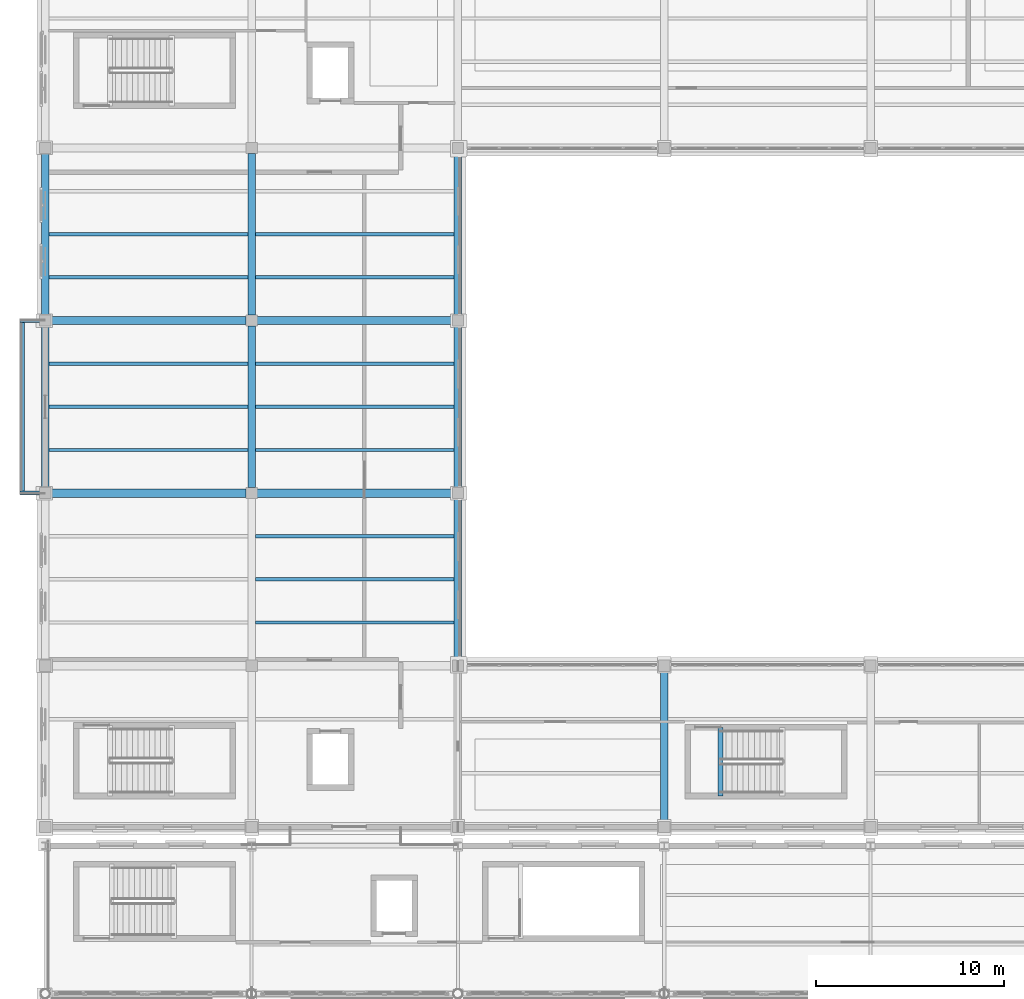
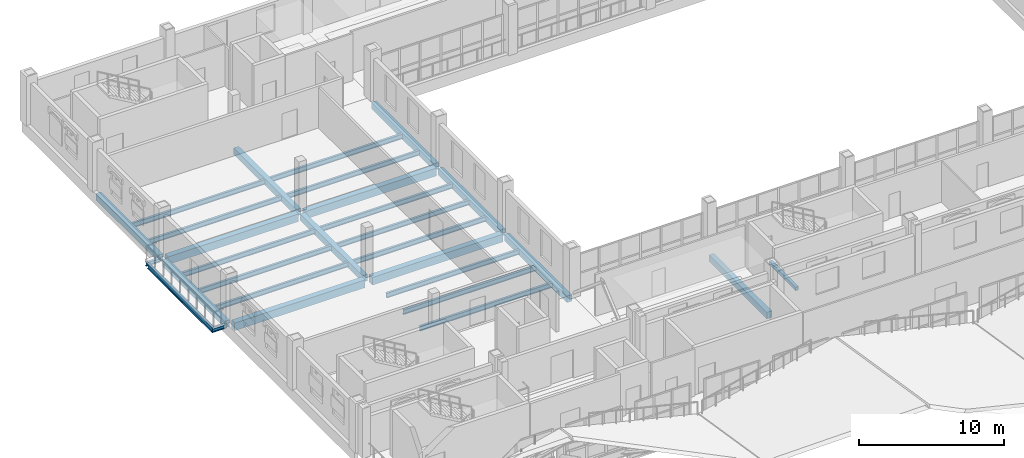
# One storey, part 54 of 120: 29 beams.
"""IFC4 building model written with IfcOpenShell, lengths in metres."""

from ifc_helpers import new_model, si_unit, direction, frame, origin, origin_2d, place, context, subcontext, project, spatial, rectangle, i_section, extrude, material, material_profile, profile_set, type_object, element, save


model = new_model("IFC4")

# Units and contexts
model_context = context("Model", 3, precision=1e-05, world=origin(), true_north=direction((0.0, 1.0)))
body_context = subcontext(model_context, "Body", "Model", "MODEL_VIEW")
ifc_project = project(units=[si_unit("LENGTHUNIT", "METRE"), si_unit("AREAUNIT", "SQUARE_METRE"), si_unit("VOLUMEUNIT", "CUBIC_METRE"), si_unit("PLANEANGLEUNIT", "RADIAN"), si_unit("MASSUNIT", "GRAM", prefix="KILO")], contexts=[model_context])

# Site, building, storey
site_placement = place(None, origin())
site = spatial("IfcSite", under=ifc_project, at=site_placement, CompositionType="ELEMENT")
building_placement = place(site_placement, origin())
building = spatial("IfcBuilding", under=site, at=building_placement, Name="Caurita Quay Ferry Terminal", CompositionType="ELEMENT")
storey_placement = place(building_placement, frame((0.0, 0.0, 9.89990234375)))
storey = spatial("IfcBuildingStorey", under=building, at=storey_placement, Name="L02", CompositionType="ELEMENT", Elevation=9.89990234375)

# Beams
ifc_material_1 = material(Name="Structural steel ASTM A992 Gr. 50", Category="steel")
ifc_material_profile_1 = material_profile(ifc_material_1, i_section(OverallWidth=0.193115234375, OverallDepth=0.46728515625, WebThickness=0.011474609375, FlangeThickness=0.01904296875, FilletRadius=0.0126953125, at=origin_2d()), Name="W18X65")
ifc_profile_set_1 = profile_set([ifc_material_profile_1], Name="Structural steel ASTM A992 Gr. 50")
beam_type_1 = type_object("IfcBeamType", Name="BM-GR-W18A", PredefinedType="BEAM", material=ifc_profile_set_1)
beam_1_placement = place(storey_placement, frame((-1.219970703125, 89.502197265625, -0.45361328125), z_axis=(0.0, 1.0, 0.0), x_axis=(-1.0, 0.0, 0.0)))
element("IfcBeam", 1, at=beam_1_placement, inside=storey, type_object=beam_type_1, Name="L02 Balcony Front Edge Beam 13", PredefinedType="BEAM", context=body_context, shape_type="SweptSolid", body=[
    extrude(i_section(OverallWidth=0.193115234375, OverallDepth=0.46728515625, WebThickness=0.011474609375, FlangeThickness=0.01904296875, FilletRadius=0.0126953125, at=origin_2d()), origin(), (0.0, 0.0, 1.0), 8.99560546875),
])
ifc_material_profile_2 = material_profile(ifc_material_1, i_section(OverallWidth=0.1787109375, OverallDepth=0.408935546875, WebThickness=0.0087890625, FlangeThickness=0.014404296875, FilletRadius=0.011474609375, at=origin_2d()), Name="W16X45")
ifc_profile_set_2 = profile_set([ifc_material_profile_2], Name="Structural steel ASTM A992 Gr. 50")
beam_type_2 = type_object("IfcBeamType", Name="BM-JS-W16A", PredefinedType="JOIST", material=ifc_profile_set_2)
for number, where, z_axis, x_axis, name in (
    (2, (0.199951171875, 91.699951171875, -0.42431640625), (1.0, 0.0, 0.0), (0.0, 1.0, 0.0), "L02 Beam JS-V5-L02-005"),
    (3, (0.199951171875, 94.0, -0.42431640625), (1.0, 0.0, 0.0), (0.0, 1.0, 0.0), "L02 Beam JS-V5-L02-006"),
    (4, (0.199951171875, 96.300048828125, -0.42431640625), (1.0, 0.0, 0.0), (0.0, 1.0, 0.0), "L02 Beam JS-V5-L02-007"),
    (5, (0.199951171875, 100.89990234375, -0.42431640625), (1.0, 0.0, 0.0), (0.0, 1.0, 0.0), "L02 Beam JS-V5-L02-008"),
    (6, (0.199951171875, 103.199951171875, -0.42431640625), (1.0, 0.0, 0.0), (0.0, 1.0, 0.0), "L02 Beam JS-V5-L02-009"),
    (7, (11.199951171875, 82.5, -0.42431640625), (1.0, 0.0, 0.0), (0.0, 1.0, 0.0), "L02 Beam JS-V5-L02-013"),
    (8, (11.199951171875, 84.800048828125, -0.42431640625), (1.0, 0.0, 0.0), (0.0, 1.0, 0.0), "L02 Beam JS-V5-L02-014"),
    (9, (11.199951171875, 87.10009765625, -0.42431640625), (1.0, 0.0, 0.0), (0.0, 1.0, 0.0), "L02 Beam JS-V5-L02-015"),
    (10, (11.199951171875, 91.699951171875, -0.42431640625), (1.0, 0.0, 0.0), (0.0, 1.0, 0.0), "L02 Beam JS-V5-L02-016"),
    (11, (11.199951171875, 94.0, -0.42431640625), (1.0, 0.0, 0.0), (0.0, 1.0, 0.0), "L02 Beam JS-V5-L02-017"),
    (12, (11.199951171875, 96.300048828125, -0.42431640625), (1.0, 0.0, 0.0), (0.0, 1.0, 0.0), "L02 Beam JS-V5-L02-018"),
    (13, (11.199951171875, 100.89990234375, -0.42431640625), (1.0, 0.0, 0.0), (0.0, 1.0, 0.0), "L02 Beam JS-V5-L02-019"),
    (14, (11.199951171875, 103.199951171875, -0.42431640625), (1.0, 0.0, 0.0), (0.0, 1.0, 0.0), "L02 Beam JS-V5-L02-020"),
):
    element("IfcBeam", number, at=place(storey_placement, frame(where, z_axis=z_axis, x_axis=x_axis)), inside=storey, type_object=beam_type_2, Name=name, PredefinedType="JOIST", context=body_context, shape_type="SweptSolid", body=[
        extrude(i_section(OverallWidth=0.1787109375, OverallDepth=0.408935546875, WebThickness=0.0087890625, FlangeThickness=0.014404296875, FilletRadius=0.011474609375, at=origin_2d()), origin(), (0.0, 0.0, 1.0), 10.60009765625),
    ])
ifc_material_profile_3 = material_profile(ifc_material_1, i_section(OverallWidth=0.20458984375, OverallDepth=0.307373046875, WebThickness=0.008544921875, FlangeThickness=0.0146484375, FilletRadius=0.0126953125, at=origin_2d()), Name="W12X45")
ifc_profile_set_3 = profile_set([ifc_material_profile_3], Name="Structural steel ASTM A992 Gr. 50")
beam_type_3 = type_object("IfcBeamType", Name="BM-OUT-W12", PredefinedType="BEAM", material=ifc_profile_set_3)
for number, where, z_axis, x_axis, name in (
    (15, (-0.239990234375, 89.39990234375, -0.37353515625), (-1.0, 0.0, 0.0), (0.0, -1.0, 0.0), "L02 Balcony Outrigger Cantilever 17"),
    (16, (-0.239990234375, 98.60009765625, -0.37353515625), (-1.0, 0.0, 0.0), (0.0, -1.0, 0.0), "L02 Balcony Outrigger Cantilever 18"),
):
    element("IfcBeam", number, at=place(storey_placement, frame(where, z_axis=z_axis, x_axis=x_axis)), inside=storey, type_object=beam_type_3, Name=name, PredefinedType="BEAM", context=body_context, shape_type="SweptSolid", body=[
        extrude(i_section(OverallWidth=0.20458984375, OverallDepth=0.307373046875, WebThickness=0.008544921875, FlangeThickness=0.0146484375, FilletRadius=0.0126953125, at=origin_2d()), origin(), (0.0, 0.0, 1.0), 1.110107421875),
    ])
ifc_material_2 = material(Name="Reinforced concrete C35/45", Category="concrete")
ifc_material_profile_4 = material_profile(ifc_material_2, rectangle(XDim=0.39990234375, YDim=0.550048828125, at=origin_2d()), Name="RC-BM-400X550")
ifc_profile_set_4 = profile_set([ifc_material_profile_4], Name="Reinforced concrete C35/45")
beam_type_4 = type_object("IfcBeamType", Name="BM-RC-4055", PredefinedType="BEAM", material=ifc_profile_set_4)
for number, where, z_axis, x_axis, name in (
    (17, (0.0, 89.697509765625, -0.494873046875), (0.0, 1.0, 0.0), (-1.0, 0.0, 0.0), "L02 Beam BM-V5-L02-Y-0-897"),
    (18, (0.0, 98.8974609375, -0.494873046875), (0.0, 1.0, 0.0), (-1.0, 0.0, 0.0), "L02 Beam BM-V5-L02-Y-0-989"),
    (19, (11.0, 89.697509765625, -0.494873046875), (0.0, 1.0, 0.0), (-1.0, 0.0, 0.0), "L02 Beam BM-V5-L02-Y-110-897"),
    (20, (11.0, 98.8974609375, -0.494873046875), (0.0, 1.0, 0.0), (-1.0, 0.0, 0.0), "L02 Beam BM-V5-L02-Y-110-989"),
    (21, (22.0, 80.49755859375, -0.494873046875), (0.0, 1.0, 0.0), (-1.0, 0.0, 0.0), "L02 Beam BM-V5-L02-Y-220-805"),
    (22, (22.0, 89.697509765625, -0.494873046875), (0.0, 1.0, 0.0), (-1.0, 0.0, 0.0), "L02 Beam BM-V5-L02-Y-220-897"),
    (23, (22.0, 98.8974609375, -0.494873046875), (0.0, 1.0, 0.0), (-1.0, 0.0, 0.0), "L02 Beam BM-V5-L02-Y-220-989"),
):
    element("IfcBeam", number, at=place(storey_placement, frame(where, z_axis=z_axis, x_axis=x_axis)), inside=storey, type_object=beam_type_4, Name=name, PredefinedType="BEAM", context=body_context, shape_type="SweptSolid", body=[
        extrude(rectangle(XDim=0.39990234375, YDim=0.550048828125, at=origin_2d()), origin(), (0.0, 0.0, 1.0), 8.60498046875),
    ])
beam_2_placement = place(storey_placement, frame((33.0, 71.8974609375, -0.494873046875), z_axis=(0.0, 1.0, 0.0), x_axis=(-1.0, 0.0, 0.0)))
element("IfcBeam", 24, at=beam_2_placement, inside=storey, type_object=beam_type_4, Name="L02 Beam BM-V5-L02-Y-330-719", PredefinedType="BEAM", context=body_context, shape_type="SweptSolid", body=[
    extrude(rectangle(XDim=0.39990234375, YDim=0.550048828125, at=origin_2d()), origin(), (0.0, 0.0, 1.0), 8.005126953125),
])
ifc_material_profile_5 = material_profile(ifc_material_2, rectangle(XDim=0.449951171875, YDim=0.64990234375, at=origin_2d()), Name="RC-BM-450X650")
ifc_profile_set_5 = profile_set([ifc_material_profile_5], Name="Reinforced concrete C35/45")
beam_type_5 = type_object("IfcBeamType", Name="BM-RC-4565", PredefinedType="BEAM", material=ifc_profile_set_5)
for number, where, z_axis, x_axis, name in (
    (25, (0.297607421875, 89.39990234375, -0.544921875), (1.0, 0.0, 0.0), (0.0, 1.0, 0.0), "L02 Beam BM-V5-L02-X-3-894"),
    (26, (11.297607421875, 89.39990234375, -0.544921875), (1.0, 0.0, 0.0), (0.0, 1.0, 0.0), "L02 Beam BM-V5-L02-X-113-894"),
    (27, (0.297607421875, 98.60009765625, -0.544921875), (1.0, 0.0, 0.0), (0.0, 1.0, 0.0), "L02 Beam BM-V5-L02-X-3-986"),
    (28, (11.297607421875, 98.60009765625, -0.544921875), (1.0, 0.0, 0.0), (0.0, 1.0, 0.0), "L02 Beam BM-V5-L02-X-113-986"),
):
    element("IfcBeam", number, at=place(storey_placement, frame(where, z_axis=z_axis, x_axis=x_axis)), inside=storey, type_object=beam_type_5, Name=name, PredefinedType="BEAM", context=body_context, shape_type="SweptSolid", body=[
        extrude(rectangle(XDim=0.449951171875, YDim=0.64990234375, at=origin_2d()), origin(), (0.0, 0.0, 1.0), 10.40478515625),
    ])
ifc_material_profile_6 = material_profile(ifc_material_2, rectangle(XDim=0.25, YDim=0.300048828125, at=origin_2d()), Name="RC-LN-250X300")
ifc_profile_set_6 = profile_set([ifc_material_profile_6], Name="Reinforced concrete C35/45")
beam_type_6 = type_object("IfcBeamType", Name="LN-RC-2530", PredefinedType="LINTEL", material=ifc_profile_set_6)
beam_3_placement = place(storey_placement, frame((36.0, 73.25, -0.14990234375), z_axis=(0.0, 1.0, 0.0), x_axis=(-1.0, 0.0, 0.0)))
element("IfcBeam", 29, at=beam_3_placement, inside=storey, type_object=beam_type_6, Name="L02 Stair ST-03 Landing Trimmer Beam", PredefinedType="LINTEL", context=body_context, shape_type="SweptSolid", body=[
    extrude(rectangle(XDim=0.25, YDim=0.300048828125, at=origin_2d()), origin(), (0.0, 0.0, 1.0), 3.659912109375),
])

save(model, "model.ifc")
